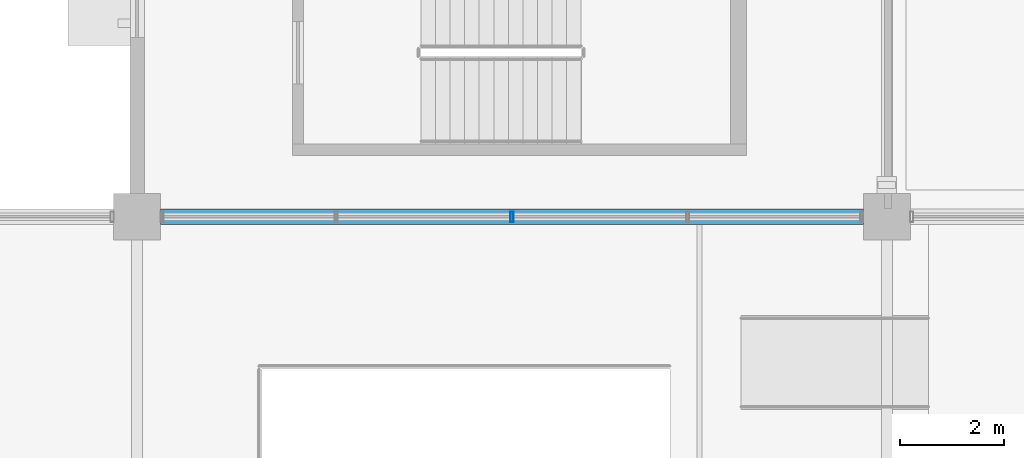
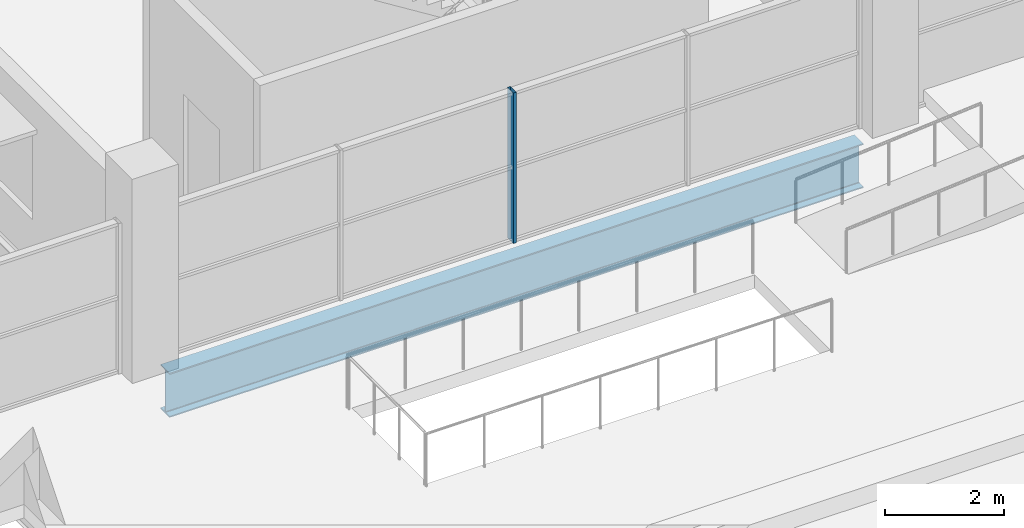
# One storey, part 56 of 161: 1 beam, 1 member, 1 element without a shape of its own.
"""IFC4 building model written with IfcOpenShell, lengths in metres."""

import ifcopenshell
import ifcopenshell.guid

model = None  # the IFC model being written
_history = None  # IfcOwnerHistory: only IFC2X3 demands one
_inside = {}  # id of a spatial element -> (the spatial element, [elements in it])
_under = {}  # id of a project, library or spatial element -> (it, [spatial elements below it])
_declared = {}  # id of a project -> (the project, [libraries it declares])
_typed = {}  # id of a type object -> (the type object, [elements of that type])
_made_of = {}  # id of a material, layer set ... -> (it, [elements and type objects made of it])


def new_model(schema):
    """Start an empty IFC model of exactly this schema.

    Asked for "IFC4X3", IfcOpenShell would pick the latest addendum, in which some entities
    have other attributes; the version numbers below select the first issue.
    IFC2X3 requires an IfcOwnerHistory on every rooted entity: one is made here for all.
    """
    global model, _history
    if schema == "IFC4X3":
        model = ifcopenshell.file(schema_version=(4, 3, 0, 0))
    else:
        model = ifcopenshell.file(schema=schema)
    _inside.clear()
    _under.clear()
    _declared.clear()
    _typed.clear()
    _made_of.clear()
    _history = None
    if model.schema == "IFC2X3":
        org = make("IfcOrganization", Name="unknown")
        user = make(
            "IfcPersonAndOrganization",
            ThePerson=make("IfcPerson", FamilyName="unknown"),
            TheOrganization=org,
        )
        app = make(
            "IfcApplication",
            ApplicationDeveloper=org,
            Version="unknown",
            ApplicationFullName="unknown",
            ApplicationIdentifier="unknown",
        )
        _history = make(
            "IfcOwnerHistory",
            OwningUser=user,
            OwningApplication=app,
            ChangeAction="ADDED",
            CreationDate=0,
        )
    return model


def make(cls, **values):
    """One entity of the class cls with the attributes given. An attribute that is None is left unset."""
    return model.create_entity(
        cls, **{name: value for name, value in values.items() if value is not None}
    )


def rooted(cls, **values):
    """An entity with a GlobalId (a new one), such as an element, a storey or a relation."""
    return make(cls, GlobalId=ifcopenshell.guid.new(), OwnerHistory=_history, **values)


def si_unit(unit_type, name, prefix=None):
    """IfcSIUnit, for example si_unit("LENGTHUNIT", "METRE", prefix="MILLI")."""
    return make("IfcSIUnit", UnitType=unit_type, Prefix=prefix, Name=name)


def assignment(units):
    """IfcUnitAssignment: the units of a project."""
    return None if units is None else make("IfcUnitAssignment", Units=units)


def point(xyz):
    """IfcCartesianPoint."""
    return None if xyz is None else make("IfcCartesianPoint", Coordinates=xyz)


def direction(xyz):
    """IfcDirection."""
    return None if xyz is None else make("IfcDirection", DirectionRatios=xyz)


def frame(location, z_axis=None, x_axis=None):
    """IfcAxis2Placement3D, a coordinate frame: its origin and axes. An axis left out is left unset."""
    return make(
        "IfcAxis2Placement3D",
        Location=point(location),
        Axis=direction(z_axis),
        RefDirection=direction(x_axis),
    )


def frame_2d(location, x_axis=None):
    """IfcAxis2Placement2D, a coordinate frame in the plane: its origin and x axis."""
    return make(
        "IfcAxis2Placement2D", Location=point(location), RefDirection=direction(x_axis)
    )


def origin():
    """The frame at (0, 0, 0) with its axes left unset."""
    return frame((0.0, 0.0, 0.0))


def origin_2d():
    """The frame at (0, 0) in the plane with its x axis left unset."""
    return frame_2d((0.0, 0.0))


def place(relative_to, where):
    """IfcLocalPlacement: puts the frame where relative to a parent placement (None: the world)."""
    return make(
        "IfcLocalPlacement", PlacementRelTo=relative_to, RelativePlacement=where
    )


def context(
    kind, dimensions, precision=None, world=None, true_north=None, identifier=None
):
    """IfcGeometricRepresentationContext, for example the 3D "Model" context."""
    return make(
        "IfcGeometricRepresentationContext",
        ContextIdentifier=identifier,
        ContextType=kind,
        CoordinateSpaceDimension=dimensions,
        Precision=precision,
        WorldCoordinateSystem=world,
        TrueNorth=true_north,
    )


def subcontext(parent, identifier, kind, view, scale=None):
    """IfcGeometricRepresentationSubContext, for example "Body" below "Model"."""
    return make(
        "IfcGeometricRepresentationSubContext",
        ContextIdentifier=identifier,
        ContextType=kind,
        ParentContext=parent,
        TargetScale=scale,
        TargetView=view,
    )


def project(units=None, contexts=None):
    """IfcProject with its units and contexts."""
    return rooted(
        "IfcProject",
        Name="project",
        RepresentationContexts=contexts,
        UnitsInContext=assignment(units),
    )


def spatial(cls, under=None, at=None, **own):
    """A site, building, storey or space (cls), placed at a placement, below another one or the project."""
    s = rooted(cls, ObjectPlacement=at, **own)
    if under is not None:
        _under.setdefault(under.id(), (under, []))[1].append(s)
    return s


def profile(cls, at=None, kind="AREA", **sizes):
    """A parametric profile (cls). Its sizes go by their IFC names, for example OverallWidth=200.0."""
    return make(cls, ProfileType=kind, Position=at, **sizes)


def hollow_rectangle(**sizes):
    """IfcRectangleHollowProfileDef."""
    return profile("IfcRectangleHollowProfileDef", **sizes)


def i_section(**sizes):
    """IfcIShapeProfileDef."""
    return profile("IfcIShapeProfileDef", **sizes)


def extrude(swept, where, along, depth):
    """IfcExtrudedAreaSolid: the profile swept, set in the frame where, extruded along a direction by depth."""
    return make(
        "IfcExtrudedAreaSolid",
        SweptArea=swept,
        Position=where,
        ExtrudedDirection=direction(along),
        Depth=depth,
    )


def shape(context_of_items, identifier, shape_type, items):
    """IfcShapeRepresentation: the items that make up one representation, for example the "Body"."""
    return make(
        "IfcShapeRepresentation",
        ContextOfItems=context_of_items,
        RepresentationIdentifier=identifier,
        RepresentationType=shape_type,
        Items=items,
    )


def material(Name=None, Category=None):
    """IfcMaterial."""
    return make("IfcMaterial", Name=Name, Category=Category)


def material_profile(
    of_material, cross_section, Name=None, Category=None, Priority=None
):
    """IfcMaterialProfile: a cross section and its material."""
    return make(
        "IfcMaterialProfile",
        Name=Name,
        Material=of_material,
        Profile=cross_section,
        Priority=Priority,
        Category=Category,
    )


def profile_set(profiles, Name=None, composite=None):
    """IfcMaterialProfileSet."""
    return make(
        "IfcMaterialProfileSet",
        Name=Name,
        MaterialProfiles=profiles,
        CompositeProfile=composite,
    )


def made_of(thing, what):
    """Note that an element or type object is made of a material, layer set ...; save() writes the relation."""
    if what is not None:
        _made_of.setdefault(what.id(), (what, []))[1].append(thing)
    return thing


def type_object(cls, material=None, **own):
    """A type object (cls), such as IfcWallType, which elements share."""
    return made_of(rooted(cls, **own), material)


def element(
    cls,
    number,
    at=None,
    inside=None,
    cuts=None,
    type_object=None,
    material=None,
    context=None,
    identifier="Body",
    shape_type=None,
    held_by="IfcProductDefinitionShape",
    body=None,
    shapes=None,
    **own,
):
    """One element of the class cls, such as IfcWall. Its Tag is "e" and its number.

    at: its placement. inside: the storey or other place that contains it. cuts: it is an
    opening in that element (IfcRelVoidsElement). A single representation is given by context,
    identifier, shape_type and body (its items); several are given by shapes. held_by: the class
    of the entity that holds the representations. save() writes the other relations.
    """
    e = rooted(cls, Tag="e%d" % number, ObjectPlacement=at, **own)
    if body is not None:
        shapes = [shape(context, identifier, shape_type, body)]
    if shapes is not None:
        e.Representation = make(held_by, Representations=shapes)
    if inside is not None:
        _inside.setdefault(inside.id(), (inside, []))[1].append(e)
    if cuts is not None:
        rooted(
            "IfcRelVoidsElement", RelatingBuildingElement=cuts, RelatedOpeningElement=e
        )
    if type_object is not None:
        _typed.setdefault(type_object.id(), (type_object, []))[1].append(e)
    return made_of(e, material)


def aggregate(whole, parts):
    """IfcRelAggregates: a whole, such as a stair, and the parts it consists of."""
    return rooted("IfcRelAggregates", RelatingObject=whole, RelatedObjects=parts)


def save(model, path):
    """Write the relations noted so far, then the file.

    IfcRelAggregates (storeys below a building ...), IfcRelContainedInSpatialStructure (elements
    in a storey), IfcRelDefinesByType, IfcRelAssociatesMaterial and IfcRelDeclares: one each for
    every whole, place, type object, material and project.
    """
    for whole, parts in _under.values():
        aggregate(whole, parts)
    for where, things in _inside.values():
        rooted(
            "IfcRelContainedInSpatialStructure",
            RelatedElements=things,
            RelatingStructure=where,
        )
    for kind, things in _typed.values():
        rooted("IfcRelDefinesByType", RelatedObjects=things, RelatingType=kind)
    for what, things in _made_of.values():
        rooted("IfcRelAssociatesMaterial", RelatedObjects=things, RelatingMaterial=what)
    for by, libraries in _declared.values():
        rooted("IfcRelDeclares", RelatingContext=by, RelatedDefinitions=libraries)
    model.write(path)


model = new_model("IFC4")

# Units and contexts
model_context = context("Model", 3, precision=1e-05, world=origin(), true_north=direction((0.0, 1.0)))
body_context = subcontext(model_context, "Body", "Model", "MODEL_VIEW")
ifc_project = project(units=[si_unit("LENGTHUNIT", "METRE"), si_unit("AREAUNIT", "SQUARE_METRE"), si_unit("VOLUMEUNIT", "CUBIC_METRE"), si_unit("PLANEANGLEUNIT", "RADIAN"), si_unit("MASSUNIT", "GRAM", prefix="KILO"), si_unit("THERMODYNAMICTEMPERATUREUNIT", "KELVIN")], contexts=[model_context])

# Site, building, storey
site_placement = place(None, origin())
site = spatial("IfcSite", under=ifc_project, at=site_placement, CompositionType="ELEMENT")
building_placement = place(site_placement, origin())
building = spatial("IfcBuilding", under=site, at=building_placement, Name="Nduvali Passage Aquatics Centre", CompositionType="ELEMENT")
storey_placement = place(building_placement, frame((0.0, 0.0, 4.800048828125)))
storey = spatial("IfcBuildingStorey", under=building, at=storey_placement, Name="L01", CompositionType="ELEMENT", Elevation=4.800048828125)

# Curtain wall, member
ifc_material_1 = material(Name="Aluminium EN AW-6063 T6", Category="aluminium")
curtain_wall_type = type_object("IfcCurtainWallType", Name="ENV-CW-HALL", PredefinedType="NOTDEFINED", material=ifc_material_1)
curtain_wall_placement = place(storey_placement, origin())
curtain_wall = element("IfcCurtainWall", 1, at=curtain_wall_placement, inside=storey, type_object=curtain_wall_type, Name="L01 North Pool Hall Concourse CW 058", PredefinedType="NOTDEFINED")
ifc_material_profile_1 = material_profile(ifc_material_1, hollow_rectangle(XDim=0.06005859375, YDim=0.199951171875, WallThickness=0.00390625, at=origin_2d()), Name="ALU MULLION 60x200x4")
ifc_profile_set_1 = profile_set([ifc_material_profile_1], Name="Aluminium EN AW-6063 T6")
member_type = type_object("IfcMemberType", Name="ENV-MEM-MUL80", PredefinedType="MULLION", material=ifc_profile_set_1)
member_placement = place(storey_placement, frame((46.800048828125, 92.39990234375, 0.0), z_axis=(0.0, 0.0, 1.0), x_axis=(1.0, 0.0, 0.0)))
member = element("IfcMember", 2, at=member_placement, type_object=member_type, Name="North Pool Hall Concourse CW Mullion 3", PredefinedType="MULLION", context=body_context, shape_type="SweptSolid", body=[
    extrude(hollow_rectangle(XDim=0.06005859375, YDim=0.199951171875, WallThickness=0.00390625, at=origin_2d()), origin(), (0.0, 0.0, 1.0), 3.09521484375),
])
aggregate(curtain_wall, [member])

# Beam
ifc_material_2 = material(Name="Steel S355", Category="steel")
ifc_material_profile_2 = material_profile(ifc_material_2, i_section(OverallWidth=0.30419921875, OverallDepth=0.910400390625, WebThickness=0.015869140625, FlangeThickness=0.02392578125, FilletRadius=0.01904296875, at=origin_2d()), Name="UKB 914x305x224")
ifc_profile_set_2 = profile_set([ifc_material_profile_2], Name="Steel S355")
beam_type = type_object("IfcBeamType", Name="STR-BM-UKB914-EXT", PredefinedType="BEAM", material=ifc_profile_set_2)
beam_placement = place(storey_placement, frame((40.050048828125, 92.39990234375, -0.7392578125), z_axis=(1.0, 0.0, 0.0), x_axis=(0.0, 1.0, 0.0)))
element("IfcBeam", 3, at=beam_placement, inside=storey, type_object=beam_type, Name="L01 Primary X-Girder B4AE-0525", PredefinedType="BEAM", context=body_context, shape_type="SweptSolid", body=[
    extrude(i_section(OverallWidth=0.30419921875, OverallDepth=0.910400390625, WebThickness=0.015869140625, FlangeThickness=0.02392578125, FilletRadius=0.01904296875, at=origin_2d()), origin(), (0.0, 0.0, 1.0), 13.5),
])

save(model, "model.ifc")
